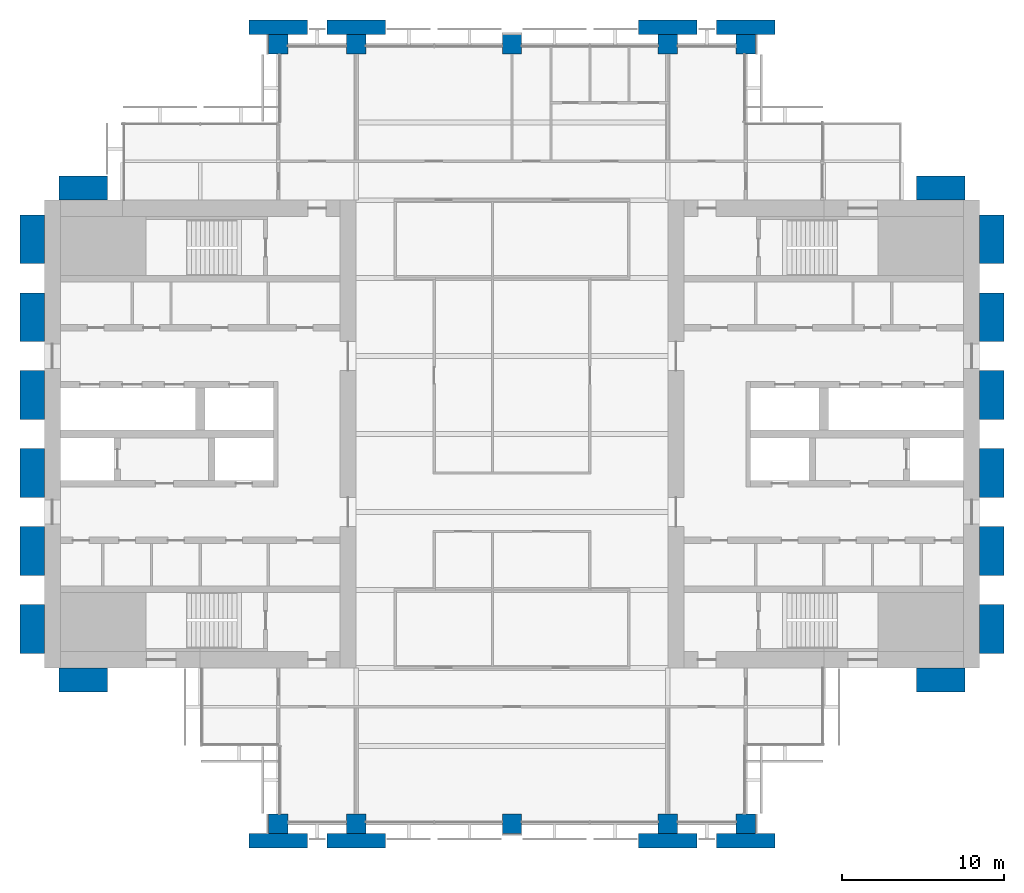
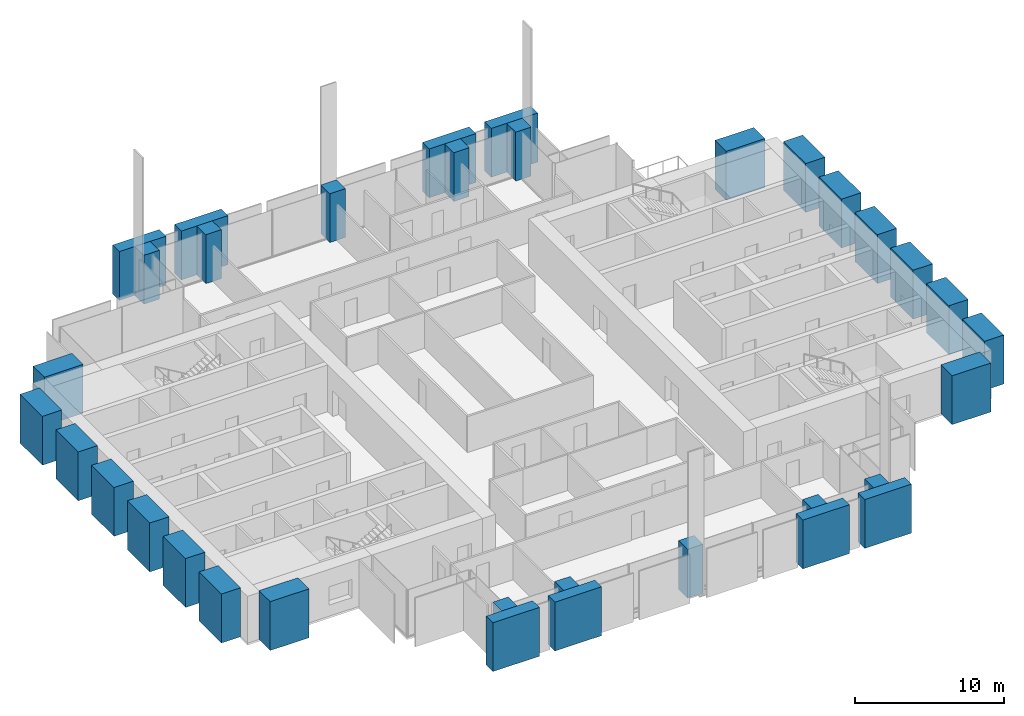
# One storey, part 1 of 14: 34 columns.
"""IFC4 building model written with IfcOpenShell, lengths in metres."""

from ifc_helpers import new_model, si_unit, direction, frame, origin, origin_2d, place, context, subcontext, project, spatial, rectangle, extrude, material, material_profile, profile_set, type_object, element, save


model = new_model("IFC4")

# Units and contexts
model_context = context("Model", 3, precision=1e-05, world=origin(), true_north=direction((0.0, 1.0)))
body_context = subcontext(model_context, "Body", "Model", "MODEL_VIEW")
ifc_project = project(units=[si_unit("LENGTHUNIT", "METRE"), si_unit("AREAUNIT", "SQUARE_METRE"), si_unit("VOLUMEUNIT", "CUBIC_METRE"), si_unit("PLANEANGLEUNIT", "RADIAN"), si_unit("MASSUNIT", "GRAM", prefix="KILO")], contexts=[model_context])

# Site, building, storey
site_placement = place(None, origin())
site = spatial("IfcSite", under=ifc_project, at=site_placement, CompositionType="ELEMENT")
building_placement = place(site_placement, origin())
building = spatial("IfcBuilding", under=site, at=building_placement, Name="Baori Bourse Tower", CompositionType="ELEMENT")
storey_placement = place(building_placement, frame((0.0, 0.0, 144.10009765625)))
storey = spatial("IfcBuildingStorey", under=building, at=storey_placement, Name="L31", CompositionType="ELEMENT", Elevation=144.10009765625)

# Columns
ifc_material_1 = material(Name="Concrete f'c 60 MPa", Category="concrete")
ifc_material_profile_1 = material_profile(ifc_material_1, rectangle(XDim=3.60009765625, YDim=0.89990234375, at=origin_2d()), Name="RC 3600x900")
ifc_profile_set_1 = profile_set([ifc_material_profile_1], Name="Concrete f'c 60 MPa")
column_type_1 = type_object("IfcColumnType", Name="FN3 Brick pilaster 3600x900", PredefinedType="PILASTER", material=ifc_profile_set_1)
for number, where, z_axis, x_axis, name in (
    (1, (14.39990234375, -1.050048828125, 0.0), (0.0, 0.0, 1.0), (1.0, 0.0, 0.0), "Brick pilaster L31 17"),
    (2, (19.199951171875, -1.050048828125, 0.0), (0.0, 0.0, 1.0), (1.0, 0.0, 0.0), "Brick pilaster L31 18"),
    (3, (38.39990234375, -1.050048828125, 0.0), (0.0, 0.0, 1.0), (1.0, 0.0, 0.0), "Brick pilaster L31 19"),
    (4, (43.199951171875, -1.050048828125, 0.0), (0.0, 0.0, 1.0), (1.0, 0.0, 0.0), "Brick pilaster L31 20"),
    (5, (14.39990234375, 49.050048828125, 0.0), (0.0, 0.0, 1.0), (1.0, 0.0, 0.0), "Brick pilaster L31 21"),
    (6, (19.199951171875, 49.050048828125, 0.0), (0.0, 0.0, 1.0), (1.0, 0.0, 0.0), "Brick pilaster L31 22"),
    (7, (38.39990234375, 49.050048828125, 0.0), (0.0, 0.0, 1.0), (1.0, 0.0, 0.0), "Brick pilaster L31 23"),
    (8, (43.199951171875, 49.050048828125, 0.0), (0.0, 0.0, 1.0), (1.0, 0.0, 0.0), "Brick pilaster L31 24"),
):
    element("IfcColumn", number, at=place(storey_placement, frame(where, z_axis=z_axis, x_axis=x_axis)), inside=storey, type_object=column_type_1, Name=name, PredefinedType="PILASTER", context=body_context, shape_type="SweptSolid", body=[
        extrude(rectangle(XDim=3.60009765625, YDim=0.89990234375, at=origin_2d()), origin(), (0.0, 0.0, 1.0), 4.0),
    ])
ifc_material_2 = material(Name="Concrete f'c 60 MPa", Category="concrete")
ifc_material_profile_2 = material_profile(ifc_material_2, rectangle(XDim=3.0, YDim=1.5, at=origin_2d()), Name="RC 3000x1500")
ifc_profile_set_2 = profile_set([ifc_material_profile_2], Name="Concrete f'c 60 MPa")
column_type_2 = type_object("IfcColumnType", Name="FN4 Brick flank pilaster 3000x1500", PredefinedType="PILASTER", material=ifc_profile_set_2)
for number, where, z_axis, x_axis, name in (
    (9, (55.199951171875, 8.85009765625, 0.0), (0.0, 0.0, 1.0), (1.0, 0.0, 0.0), "Brick pilaster L31 1"),
    (10, (58.35009765625, 12.0, 0.0), (0.0, 0.0, 1.0), (0.0, 1.0, 0.0), "Brick pilaster L31 2"),
    (11, (58.35009765625, 16.800048828125, 0.0), (0.0, 0.0, 1.0), (0.0, 1.0, 0.0), "Brick pilaster L31 3"),
    (12, (58.35009765625, 21.60009765625, 0.0), (0.0, 0.0, 1.0), (0.0, 1.0, 0.0), "Brick pilaster L31 4"),
    (13, (58.35009765625, 26.39990234375, 0.0), (0.0, 0.0, 1.0), (0.0, 1.0, 0.0), "Brick pilaster L31 5"),
    (14, (58.35009765625, 31.199951171875, 0.0), (0.0, 0.0, 1.0), (0.0, 1.0, 0.0), "Brick pilaster L31 6"),
    (15, (58.35009765625, 36.0, 0.0), (0.0, 0.0, 1.0), (0.0, 1.0, 0.0), "Brick pilaster L31 7"),
    (16, (55.199951171875, 39.14990234375, 0.0), (0.0, 0.0, 1.0), (1.0, 0.0, 0.0), "Brick pilaster L31 8"),
    (17, (2.39990234375, 39.14990234375, 0.0), (0.0, 0.0, 1.0), (1.0, 0.0, 0.0), "Brick pilaster L31 9"),
    (18, (-0.75, 12.0, 0.0), (0.0, 0.0, 1.0), (0.0, 1.0, 0.0), "Brick pilaster L31 10"),
    (19, (-0.75, 16.800048828125, 0.0), (0.0, 0.0, 1.0), (0.0, 1.0, 0.0), "Brick pilaster L31 11"),
    (20, (-0.75, 21.60009765625, 0.0), (0.0, 0.0, 1.0), (0.0, 1.0, 0.0), "Brick pilaster L31 12"),
    (21, (-0.75, 26.39990234375, 0.0), (0.0, 0.0, 1.0), (0.0, 1.0, 0.0), "Brick pilaster L31 13"),
    (22, (-0.75, 31.199951171875, 0.0), (0.0, 0.0, 1.0), (0.0, 1.0, 0.0), "Brick pilaster L31 14"),
    (23, (-0.75, 36.0, 0.0), (0.0, 0.0, 1.0), (0.0, 1.0, 0.0), "Brick pilaster L31 15"),
    (24, (2.39990234375, 8.85009765625, 0.0), (0.0, 0.0, 1.0), (1.0, 0.0, 0.0), "Brick pilaster L31 16"),
):
    element("IfcColumn", number, at=place(storey_placement, frame(where, z_axis=z_axis, x_axis=x_axis)), inside=storey, type_object=column_type_2, Name=name, PredefinedType="PILASTER", context=body_context, shape_type="SweptSolid", body=[
        extrude(rectangle(XDim=3.0, YDim=1.5, at=origin_2d()), origin(), (0.0, 0.0, 1.0), 4.0),
    ])
ifc_material_3 = material(Name="Concrete f'c 60 MPa", Category="concrete")
ifc_material_profile_3 = material_profile(ifc_material_3, rectangle(XDim=1.199951171875, YDim=1.199951171875, at=origin_2d()), Name="RC 1200x1200")
ifc_profile_set_3 = profile_set([ifc_material_profile_3], Name="Concrete f'c 60 MPa")
column_type_3 = type_object("IfcColumnType", Name="Perimeter column 60 RC 1200x1200", PredefinedType="COLUMN", material=ifc_profile_set_3)
for number, where, z_axis, x_axis, name in (
    (25, (14.39990234375, 0.0, 0.0), (0.0, 0.0, 1.0), (1.0, 0.0, 0.0), "Perimeter column L31"),
    (26, (19.199951171875, 0.0, 0.0), (0.0, 0.0, 1.0), (1.0, 0.0, 0.0), "Perimeter column L31"),
    (27, (28.800048828125, 0.0, 0.0), (0.0, 0.0, 1.0), (1.0, 0.0, 0.0), "Perimeter column L31"),
    (28, (38.39990234375, 0.0, 0.0), (0.0, 0.0, 1.0), (1.0, 0.0, 0.0), "Perimeter column L31"),
    (29, (43.199951171875, 0.0, 0.0), (0.0, 0.0, 1.0), (1.0, 0.0, 0.0), "Perimeter column L31"),
    (30, (14.39990234375, 48.0, 0.0), (0.0, 0.0, 1.0), (1.0, 0.0, 0.0), "Perimeter column L31"),
    (31, (19.199951171875, 48.0, 0.0), (0.0, 0.0, 1.0), (1.0, 0.0, 0.0), "Perimeter column L31"),
    (32, (28.800048828125, 48.0, 0.0), (0.0, 0.0, 1.0), (1.0, 0.0, 0.0), "Perimeter column L31"),
    (33, (38.39990234375, 48.0, 0.0), (0.0, 0.0, 1.0), (1.0, 0.0, 0.0), "Perimeter column L31"),
    (34, (43.199951171875, 48.0, 0.0), (0.0, 0.0, 1.0), (1.0, 0.0, 0.0), "Perimeter column L31"),
):
    element("IfcColumn", number, at=place(storey_placement, frame(where, z_axis=z_axis, x_axis=x_axis)), inside=storey, type_object=column_type_3, Name=name, PredefinedType="COLUMN", context=body_context, shape_type="SweptSolid", body=[
        extrude(rectangle(XDim=1.199951171875, YDim=1.199951171875, at=origin_2d()), origin(), (0.0, 0.0, 1.0), 4.0),
    ])

save(model, "model.ifc")
